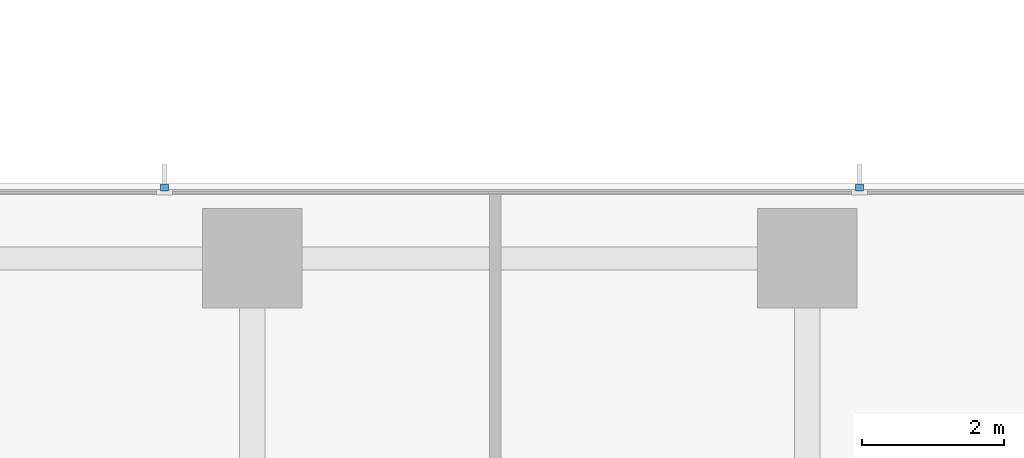
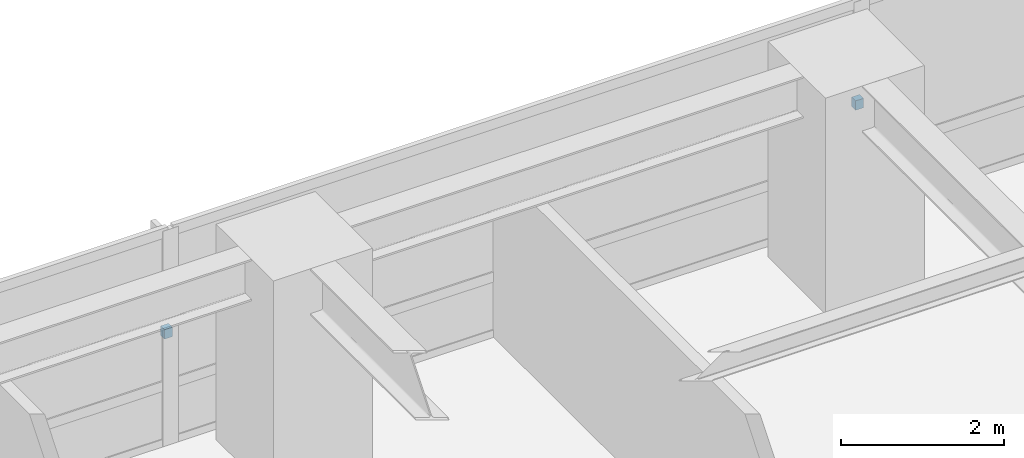
# One storey, part 14 of 17: 2 discrete accessories.
"""IFC4 building model written with IfcOpenShell, lengths in metres."""

from ifc_helpers import new_model, si_unit, direction, frame, origin, place, context, subcontext, project, spatial, polyline, outline, extrude, material, type_object, element, save


model = new_model("IFC4")

# Units and contexts
model_context = context("Model", 3, precision=1e-05, world=origin(), true_north=direction((0.0, 1.0)))
body_context = subcontext(model_context, "Body", "Model", "MODEL_VIEW")
ifc_project = project(units=[si_unit("LENGTHUNIT", "METRE"), si_unit("AREAUNIT", "SQUARE_METRE"), si_unit("VOLUMEUNIT", "CUBIC_METRE"), si_unit("PLANEANGLEUNIT", "RADIAN"), si_unit("MASSUNIT", "GRAM", prefix="KILO")], contexts=[model_context])

# Site, building, storey
site_placement = place(None, origin())
site = spatial("IfcSite", under=ifc_project, at=site_placement, CompositionType="ELEMENT")
building_placement = place(site_placement, origin())
building = spatial("IfcBuilding", under=site, at=building_placement, Name="Qalmaran Belvedere Hotel", CompositionType="ELEMENT")
storey_placement = place(building_placement, frame((0.0, 0.0, 68.39990234375)))
storey = spatial("IfcBuildingStorey", under=building, at=storey_placement, Name="L17", CompositionType="ELEMENT", Elevation=68.39990234375)

# Discrete accessories
ifc_material = material(Name="Stainless Steel 1.4401", Category="steel")
discrete_accessory_type = type_object("IfcDiscreteAccessoryType", Name="BRK-FIN-SS316", PredefinedType="BRACKET", material=ifc_material)
discrete_accessory_1_placement = place(storey_placement, frame((0.0, 0.0, 1.56005859375)))
element("IfcDiscreteAccessory", 1, at=discrete_accessory_1_placement, inside=storey, type_object=discrete_accessory_type, Name="L17 Fin Bracket 1", PredefinedType="BRACKET", context=body_context, shape_type="SweptSolid", body=[
    extrude(outline(polyline([(45.58837890625, 48.39501953125), (45.58837890625, 48.492431640625), (45.478271484375, 48.492431640625), (45.478271484375, 48.39501953125), (45.58837890625, 48.39501953125)])), origin(), (0.0, 0.0, 1.0), 0.14013671875),
])
discrete_accessory_2_placement = place(storey_placement, frame((0.0, 0.0, 1.56005859375)))
element("IfcDiscreteAccessory", 2, at=discrete_accessory_2_placement, inside=storey, type_object=discrete_accessory_type, Name="L17 Fin Bracket 2", PredefinedType="BRACKET", context=body_context, shape_type="SweptSolid", body=[
    extrude(outline(polyline([(35.82177734375, 48.39501953125), (35.82177734375, 48.492431640625), (35.711669921875, 48.492431640625), (35.711669921875, 48.39501953125), (35.82177734375, 48.39501953125)])), origin(), (0.0, 0.0, 1.0), 0.14013671875),
])

save(model, "model.ifc")
